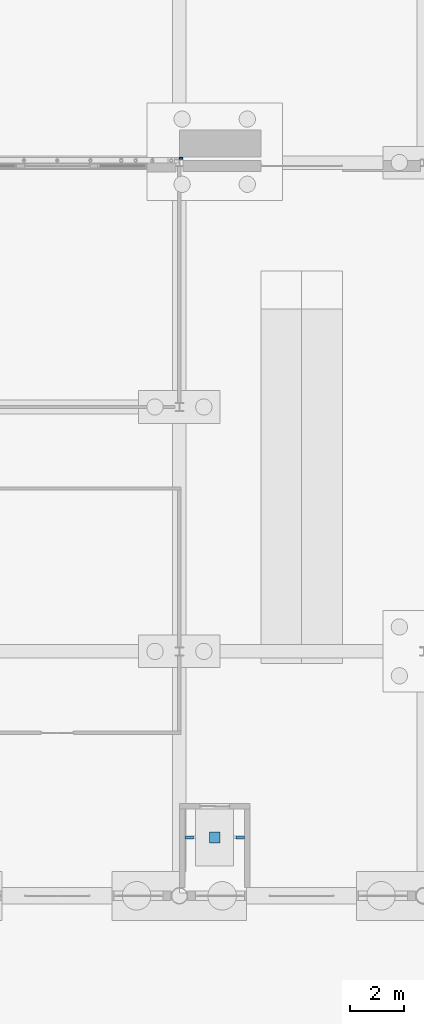
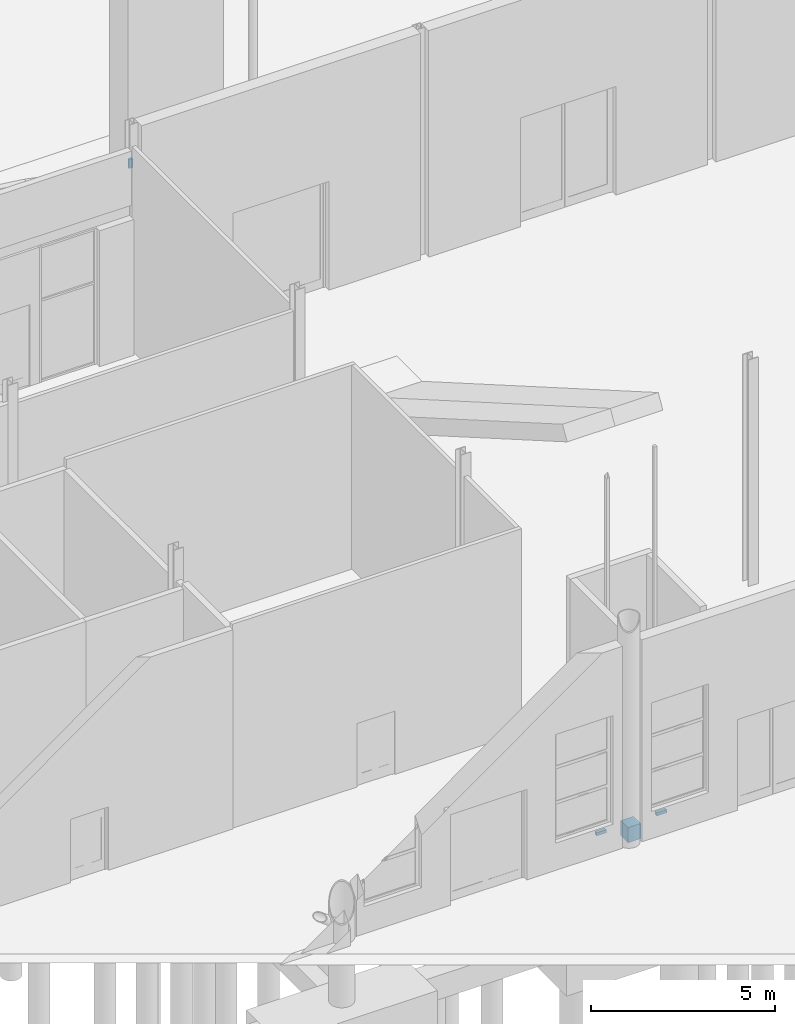
# One storey, part 167 of 250: 4 discrete accessories.
"""IFC4 building model written with IfcOpenShell, lengths in metres."""

import ifcopenshell
import ifcopenshell.guid

model = None  # the IFC model being written
_history = None  # IfcOwnerHistory: only IFC2X3 demands one
_inside = {}  # id of a spatial element -> (the spatial element, [elements in it])
_under = {}  # id of a project, library or spatial element -> (it, [spatial elements below it])
_declared = {}  # id of a project -> (the project, [libraries it declares])
_typed = {}  # id of a type object -> (the type object, [elements of that type])
_made_of = {}  # id of a material, layer set ... -> (it, [elements and type objects made of it])


def new_model(schema):
    """Start an empty IFC model of exactly this schema.

    Asked for "IFC4X3", IfcOpenShell would pick the latest addendum, in which some entities
    have other attributes; the version numbers below select the first issue.
    IFC2X3 requires an IfcOwnerHistory on every rooted entity: one is made here for all.
    """
    global model, _history
    if schema == "IFC4X3":
        model = ifcopenshell.file(schema_version=(4, 3, 0, 0))
    else:
        model = ifcopenshell.file(schema=schema)
    _inside.clear()
    _under.clear()
    _declared.clear()
    _typed.clear()
    _made_of.clear()
    _history = None
    if model.schema == "IFC2X3":
        org = make("IfcOrganization", Name="unknown")
        user = make(
            "IfcPersonAndOrganization",
            ThePerson=make("IfcPerson", FamilyName="unknown"),
            TheOrganization=org,
        )
        app = make(
            "IfcApplication",
            ApplicationDeveloper=org,
            Version="unknown",
            ApplicationFullName="unknown",
            ApplicationIdentifier="unknown",
        )
        _history = make(
            "IfcOwnerHistory",
            OwningUser=user,
            OwningApplication=app,
            ChangeAction="ADDED",
            CreationDate=0,
        )
    return model


def make(cls, **values):
    """One entity of the class cls with the attributes given. An attribute that is None is left unset."""
    return model.create_entity(
        cls, **{name: value for name, value in values.items() if value is not None}
    )


def rooted(cls, **values):
    """An entity with a GlobalId (a new one), such as an element, a storey or a relation."""
    return make(cls, GlobalId=ifcopenshell.guid.new(), OwnerHistory=_history, **values)


def si_unit(unit_type, name, prefix=None):
    """IfcSIUnit, for example si_unit("LENGTHUNIT", "METRE", prefix="MILLI")."""
    return make("IfcSIUnit", UnitType=unit_type, Prefix=prefix, Name=name)


def assignment(units):
    """IfcUnitAssignment: the units of a project."""
    return None if units is None else make("IfcUnitAssignment", Units=units)


def point(xyz):
    """IfcCartesianPoint."""
    return None if xyz is None else make("IfcCartesianPoint", Coordinates=xyz)


def direction(xyz):
    """IfcDirection."""
    return None if xyz is None else make("IfcDirection", DirectionRatios=xyz)


def frame(location, z_axis=None, x_axis=None):
    """IfcAxis2Placement3D, a coordinate frame: its origin and axes. An axis left out is left unset."""
    return make(
        "IfcAxis2Placement3D",
        Location=point(location),
        Axis=direction(z_axis),
        RefDirection=direction(x_axis),
    )


def frame_2d(location, x_axis=None):
    """IfcAxis2Placement2D, a coordinate frame in the plane: its origin and x axis."""
    return make(
        "IfcAxis2Placement2D", Location=point(location), RefDirection=direction(x_axis)
    )


def origin():
    """The frame at (0, 0, 0) with its axes left unset."""
    return frame((0.0, 0.0, 0.0))


def origin_2d():
    """The frame at (0, 0) in the plane with its x axis left unset."""
    return frame_2d((0.0, 0.0))


def place(relative_to, where):
    """IfcLocalPlacement: puts the frame where relative to a parent placement (None: the world)."""
    return make(
        "IfcLocalPlacement", PlacementRelTo=relative_to, RelativePlacement=where
    )


def context(
    kind, dimensions, precision=None, world=None, true_north=None, identifier=None
):
    """IfcGeometricRepresentationContext, for example the 3D "Model" context."""
    return make(
        "IfcGeometricRepresentationContext",
        ContextIdentifier=identifier,
        ContextType=kind,
        CoordinateSpaceDimension=dimensions,
        Precision=precision,
        WorldCoordinateSystem=world,
        TrueNorth=true_north,
    )


def subcontext(parent, identifier, kind, view, scale=None):
    """IfcGeometricRepresentationSubContext, for example "Body" below "Model"."""
    return make(
        "IfcGeometricRepresentationSubContext",
        ContextIdentifier=identifier,
        ContextType=kind,
        ParentContext=parent,
        TargetScale=scale,
        TargetView=view,
    )


def project(units=None, contexts=None):
    """IfcProject with its units and contexts."""
    return rooted(
        "IfcProject",
        Name="project",
        RepresentationContexts=contexts,
        UnitsInContext=assignment(units),
    )


def spatial(cls, under=None, at=None, **own):
    """A site, building, storey or space (cls), placed at a placement, below another one or the project."""
    s = rooted(cls, ObjectPlacement=at, **own)
    if under is not None:
        _under.setdefault(under.id(), (under, []))[1].append(s)
    return s


def profile(cls, at=None, kind="AREA", **sizes):
    """A parametric profile (cls). Its sizes go by their IFC names, for example OverallWidth=200.0."""
    return make(cls, ProfileType=kind, Position=at, **sizes)


def rectangle(**sizes):
    """IfcRectangleProfileDef."""
    return profile("IfcRectangleProfileDef", **sizes)


def extrude(swept, where, along, depth):
    """IfcExtrudedAreaSolid: the profile swept, set in the frame where, extruded along a direction by depth."""
    return make(
        "IfcExtrudedAreaSolid",
        SweptArea=swept,
        Position=where,
        ExtrudedDirection=direction(along),
        Depth=depth,
    )


def shape(context_of_items, identifier, shape_type, items):
    """IfcShapeRepresentation: the items that make up one representation, for example the "Body"."""
    return make(
        "IfcShapeRepresentation",
        ContextOfItems=context_of_items,
        RepresentationIdentifier=identifier,
        RepresentationType=shape_type,
        Items=items,
    )


def material(Name=None, Category=None):
    """IfcMaterial."""
    return make("IfcMaterial", Name=Name, Category=Category)


def made_of(thing, what):
    """Note that an element or type object is made of a material, layer set ...; save() writes the relation."""
    if what is not None:
        _made_of.setdefault(what.id(), (what, []))[1].append(thing)
    return thing


def type_object(cls, material=None, **own):
    """A type object (cls), such as IfcWallType, which elements share."""
    return made_of(rooted(cls, **own), material)


def element(
    cls,
    number,
    at=None,
    inside=None,
    cuts=None,
    type_object=None,
    material=None,
    context=None,
    identifier="Body",
    shape_type=None,
    held_by="IfcProductDefinitionShape",
    body=None,
    shapes=None,
    **own,
):
    """One element of the class cls, such as IfcWall. Its Tag is "e" and its number.

    at: its placement. inside: the storey or other place that contains it. cuts: it is an
    opening in that element (IfcRelVoidsElement). A single representation is given by context,
    identifier, shape_type and body (its items); several are given by shapes. held_by: the class
    of the entity that holds the representations. save() writes the other relations.
    """
    e = rooted(cls, Tag="e%d" % number, ObjectPlacement=at, **own)
    if body is not None:
        shapes = [shape(context, identifier, shape_type, body)]
    if shapes is not None:
        e.Representation = make(held_by, Representations=shapes)
    if inside is not None:
        _inside.setdefault(inside.id(), (inside, []))[1].append(e)
    if cuts is not None:
        rooted(
            "IfcRelVoidsElement", RelatingBuildingElement=cuts, RelatedOpeningElement=e
        )
    if type_object is not None:
        _typed.setdefault(type_object.id(), (type_object, []))[1].append(e)
    return made_of(e, material)


def aggregate(whole, parts):
    """IfcRelAggregates: a whole, such as a stair, and the parts it consists of."""
    return rooted("IfcRelAggregates", RelatingObject=whole, RelatedObjects=parts)


def save(model, path):
    """Write the relations noted so far, then the file.

    IfcRelAggregates (storeys below a building ...), IfcRelContainedInSpatialStructure (elements
    in a storey), IfcRelDefinesByType, IfcRelAssociatesMaterial and IfcRelDeclares: one each for
    every whole, place, type object, material and project.
    """
    for whole, parts in _under.values():
        aggregate(whole, parts)
    for where, things in _inside.values():
        rooted(
            "IfcRelContainedInSpatialStructure",
            RelatedElements=things,
            RelatingStructure=where,
        )
    for kind, things in _typed.values():
        rooted("IfcRelDefinesByType", RelatedObjects=things, RelatingType=kind)
    for what, things in _made_of.values():
        rooted("IfcRelAssociatesMaterial", RelatedObjects=things, RelatingMaterial=what)
    for by, libraries in _declared.values():
        rooted("IfcRelDeclares", RelatingContext=by, RelatedDefinitions=libraries)
    model.write(path)


model = new_model("IFC4")

# Units and contexts
model_context = context("Model", 3, precision=1e-05, world=origin(), true_north=direction((0.0, 1.0)))
body_context = subcontext(model_context, "Body", "Model", "MODEL_VIEW")
ifc_project = project(units=[si_unit("LENGTHUNIT", "METRE"), si_unit("AREAUNIT", "SQUARE_METRE"), si_unit("VOLUMEUNIT", "CUBIC_METRE"), si_unit("PLANEANGLEUNIT", "RADIAN"), si_unit("MASSUNIT", "GRAM", prefix="KILO")], contexts=[model_context])

# Site, building, storey
site_placement = place(None, origin())
site = spatial("IfcSite", under=ifc_project, at=site_placement, CompositionType="ELEMENT")
building_placement = place(site_placement, origin())
building = spatial("IfcBuilding", under=site, at=building_placement, Name="Baradari Gate Terminus", CompositionType="ELEMENT")
storey_placement = place(building_placement, origin())
storey = spatial("IfcBuildingStorey", under=building, at=storey_placement, Name="L00", CompositionType="ELEMENT", Elevation=0.0)

# Discrete accessories
ifc_material_1 = material(Name="Steel S355", Category="steel")
discrete_accessory_type_1 = type_object("IfcDiscreteAccessoryType", Name="Lift buffer BF-1 400x400x500", PredefinedType="SHOE", material=ifc_material_1)
discrete_accessory_1_placement = place(storey_placement, frame((136.300048828125, 83.14990234375, -1.60009765625), z_axis=(0.0, 0.0, 1.0), x_axis=(1.0, 0.0, 0.0)))
element("IfcDiscreteAccessory", 1, at=discrete_accessory_1_placement, inside=storey, type_object=discrete_accessory_type_1, Name="Lift buffer LHL", PredefinedType="SHOE", context=body_context, shape_type="SweptSolid", body=[
    extrude(rectangle(XDim=0.39990234375, YDim=0.39990234375, at=origin_2d()), origin(), (0.0, 0.0, 1.0), 0.5),
])
ifc_material_2 = material(Name="Steel S355", Category="steel")
discrete_accessory_type_2 = type_object("IfcDiscreteAccessoryType", Name="Lift rail bracket RB-L1 100x100", PredefinedType="BRACKET", material=ifc_material_2)
for number, where, z_axis, x_axis, name in (
    (2, (135.35498046875, 83.14990234375, -1.150146484375), (0.0, 0.0, 1.0), (1.0, 0.0, 0.0), "Lift rail bracket LHL 1A"),
    (3, (137.2451171875, 83.14990234375, -1.150146484375), (0.0, 0.0, 1.0), (1.0, 0.0, 0.0), "Lift rail bracket LHL 2A"),
):
    element("IfcDiscreteAccessory", number, at=place(storey_placement, frame(where, z_axis=z_axis, x_axis=x_axis)), inside=storey, type_object=discrete_accessory_type_2, Name=name, PredefinedType="BRACKET", context=body_context, shape_type="SweptSolid", body=[
        extrude(rectangle(XDim=0.31005859375, YDim=0.10009765625, at=origin_2d()), origin(), (0.0, 0.0, 1.0), 0.10009765625),
    ])
ifc_material_3 = material(Name="Steel S355", Category="steel")
discrete_accessory_type_3 = type_object("IfcDiscreteAccessoryType", Name="Pier tie cleat PT1 120x300", PredefinedType="BRACKET", material=ifc_material_3)
discrete_accessory_2_placement = place(storey_placement, frame((135.06005859375, 108.1650390625, 5.85009765625), z_axis=(0.0, 0.0, 1.0), x_axis=(1.0, 0.0, 0.0)))
element("IfcDiscreteAccessory", 4, at=discrete_accessory_2_placement, inside=storey, type_object=discrete_accessory_type_3, Name="Pier tie cleat at 135 level 6", PredefinedType="BRACKET", context=body_context, shape_type="SweptSolid", body=[
    extrude(rectangle(XDim=0.1201171875, YDim=0.06982421875, at=origin_2d()), origin(), (0.0, 0.0, 1.0), 0.300048828125),
])

save(model, "model.ifc")
